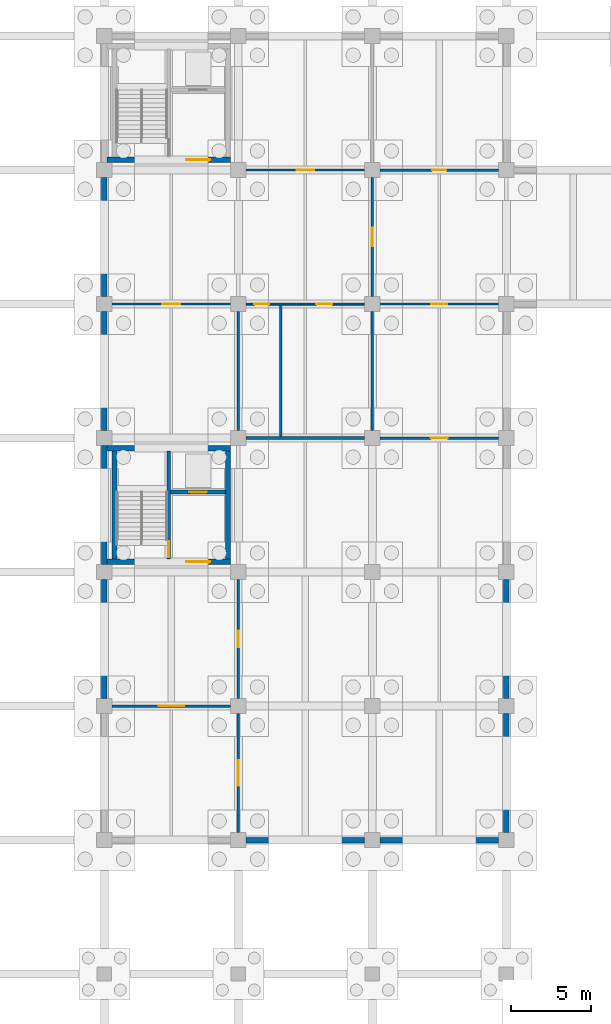
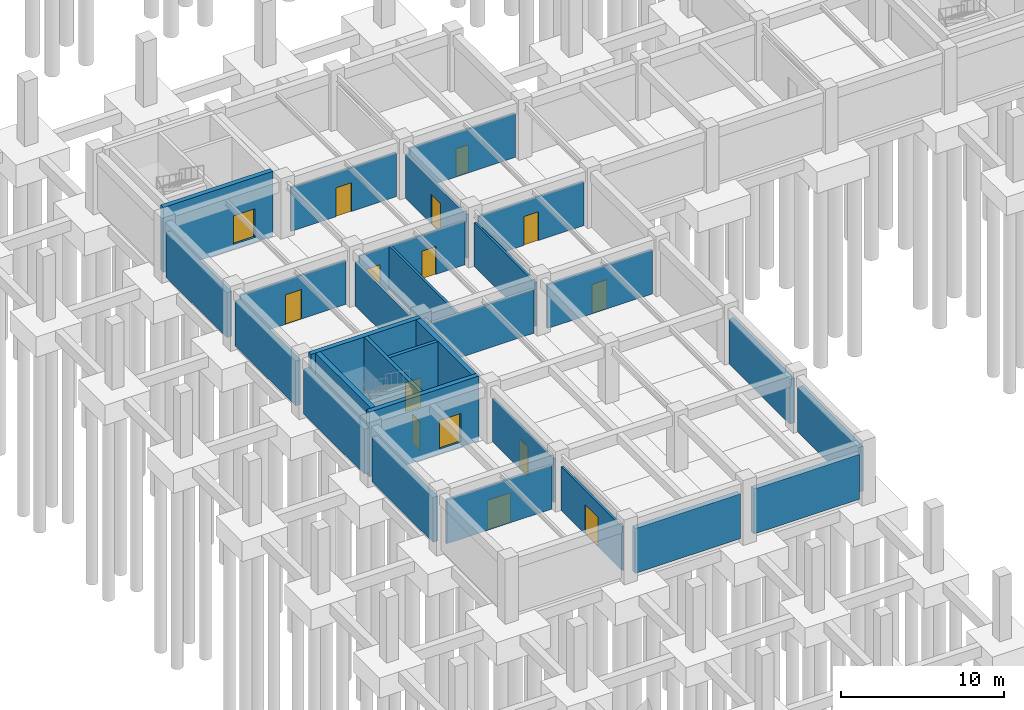
# One storey, part 18 of 29: 29 walls, 15 doors, 15 openings.
"""IFC4 building model written with IfcOpenShell, lengths in metres."""

import ifcopenshell
import ifcopenshell.guid

model = None  # the IFC model being written
_history = None  # IfcOwnerHistory: only IFC2X3 demands one
_inside = {}  # id of a spatial element -> (the spatial element, [elements in it])
_under = {}  # id of a project, library or spatial element -> (it, [spatial elements below it])
_declared = {}  # id of a project -> (the project, [libraries it declares])
_typed = {}  # id of a type object -> (the type object, [elements of that type])
_made_of = {}  # id of a material, layer set ... -> (it, [elements and type objects made of it])


def new_model(schema):
    """Start an empty IFC model of exactly this schema.

    Asked for "IFC4X3", IfcOpenShell would pick the latest addendum, in which some entities
    have other attributes; the version numbers below select the first issue.
    IFC2X3 requires an IfcOwnerHistory on every rooted entity: one is made here for all.
    """
    global model, _history
    if schema == "IFC4X3":
        model = ifcopenshell.file(schema_version=(4, 3, 0, 0))
    else:
        model = ifcopenshell.file(schema=schema)
    _inside.clear()
    _under.clear()
    _declared.clear()
    _typed.clear()
    _made_of.clear()
    _history = None
    if model.schema == "IFC2X3":
        org = make("IfcOrganization", Name="unknown")
        user = make(
            "IfcPersonAndOrganization",
            ThePerson=make("IfcPerson", FamilyName="unknown"),
            TheOrganization=org,
        )
        app = make(
            "IfcApplication",
            ApplicationDeveloper=org,
            Version="unknown",
            ApplicationFullName="unknown",
            ApplicationIdentifier="unknown",
        )
        _history = make(
            "IfcOwnerHistory",
            OwningUser=user,
            OwningApplication=app,
            ChangeAction="ADDED",
            CreationDate=0,
        )
    return model


def make(cls, **values):
    """One entity of the class cls with the attributes given. An attribute that is None is left unset."""
    return model.create_entity(
        cls, **{name: value for name, value in values.items() if value is not None}
    )


def rooted(cls, **values):
    """An entity with a GlobalId (a new one), such as an element, a storey or a relation."""
    return make(cls, GlobalId=ifcopenshell.guid.new(), OwnerHistory=_history, **values)


def si_unit(unit_type, name, prefix=None):
    """IfcSIUnit, for example si_unit("LENGTHUNIT", "METRE", prefix="MILLI")."""
    return make("IfcSIUnit", UnitType=unit_type, Prefix=prefix, Name=name)


def assignment(units):
    """IfcUnitAssignment: the units of a project."""
    return None if units is None else make("IfcUnitAssignment", Units=units)


def point(xyz):
    """IfcCartesianPoint."""
    return None if xyz is None else make("IfcCartesianPoint", Coordinates=xyz)


def direction(xyz):
    """IfcDirection."""
    return None if xyz is None else make("IfcDirection", DirectionRatios=xyz)


def frame(location, z_axis=None, x_axis=None):
    """IfcAxis2Placement3D, a coordinate frame: its origin and axes. An axis left out is left unset."""
    return make(
        "IfcAxis2Placement3D",
        Location=point(location),
        Axis=direction(z_axis),
        RefDirection=direction(x_axis),
    )


def frame_2d(location, x_axis=None):
    """IfcAxis2Placement2D, a coordinate frame in the plane: its origin and x axis."""
    return make(
        "IfcAxis2Placement2D", Location=point(location), RefDirection=direction(x_axis)
    )


def origin():
    """The frame at (0, 0, 0) with its axes left unset."""
    return frame((0.0, 0.0, 0.0))


def place(relative_to, where):
    """IfcLocalPlacement: puts the frame where relative to a parent placement (None: the world)."""
    return make(
        "IfcLocalPlacement", PlacementRelTo=relative_to, RelativePlacement=where
    )


def context(
    kind, dimensions, precision=None, world=None, true_north=None, identifier=None
):
    """IfcGeometricRepresentationContext, for example the 3D "Model" context."""
    return make(
        "IfcGeometricRepresentationContext",
        ContextIdentifier=identifier,
        ContextType=kind,
        CoordinateSpaceDimension=dimensions,
        Precision=precision,
        WorldCoordinateSystem=world,
        TrueNorth=true_north,
    )


def subcontext(parent, identifier, kind, view, scale=None):
    """IfcGeometricRepresentationSubContext, for example "Body" below "Model"."""
    return make(
        "IfcGeometricRepresentationSubContext",
        ContextIdentifier=identifier,
        ContextType=kind,
        ParentContext=parent,
        TargetScale=scale,
        TargetView=view,
    )


def project(units=None, contexts=None):
    """IfcProject with its units and contexts."""
    return rooted(
        "IfcProject",
        Name="project",
        RepresentationContexts=contexts,
        UnitsInContext=assignment(units),
    )


def spatial(cls, under=None, at=None, **own):
    """A site, building, storey or space (cls), placed at a placement, below another one or the project."""
    s = rooted(cls, ObjectPlacement=at, **own)
    if under is not None:
        _under.setdefault(under.id(), (under, []))[1].append(s)
    return s


def profile(cls, at=None, kind="AREA", **sizes):
    """A parametric profile (cls). Its sizes go by their IFC names, for example OverallWidth=200.0."""
    return make(cls, ProfileType=kind, Position=at, **sizes)


def rectangle(**sizes):
    """IfcRectangleProfileDef."""
    return profile("IfcRectangleProfileDef", **sizes)


def extrude(swept, where, along, depth):
    """IfcExtrudedAreaSolid: the profile swept, set in the frame where, extruded along a direction by depth."""
    return make(
        "IfcExtrudedAreaSolid",
        SweptArea=swept,
        Position=where,
        ExtrudedDirection=direction(along),
        Depth=depth,
    )


def shape(context_of_items, identifier, shape_type, items):
    """IfcShapeRepresentation: the items that make up one representation, for example the "Body"."""
    return make(
        "IfcShapeRepresentation",
        ContextOfItems=context_of_items,
        RepresentationIdentifier=identifier,
        RepresentationType=shape_type,
        Items=items,
    )


def material(Name=None, Category=None):
    """IfcMaterial."""
    return make("IfcMaterial", Name=Name, Category=Category)


def layer(
    of_material, thickness, ventilated=None, Name=None, Category=None, Priority=None
):
    """IfcMaterialLayer: one layer of a wall or slab, of a material (None: an air gap)."""
    return make(
        "IfcMaterialLayer",
        Material=of_material,
        LayerThickness=thickness,
        IsVentilated=ventilated,
        Name=Name,
        Category=Category,
        Priority=Priority,
    )


def layer_set(layers, Name=None):
    """IfcMaterialLayerSet."""
    return make("IfcMaterialLayerSet", MaterialLayers=layers, LayerSetName=Name)


def made_of(thing, what):
    """Note that an element or type object is made of a material, layer set ...; save() writes the relation."""
    if what is not None:
        _made_of.setdefault(what.id(), (what, []))[1].append(thing)
    return thing


def type_object(cls, material=None, **own):
    """A type object (cls), such as IfcWallType, which elements share."""
    return made_of(rooted(cls, **own), material)


def element(
    cls,
    number,
    at=None,
    inside=None,
    cuts=None,
    type_object=None,
    material=None,
    context=None,
    identifier="Body",
    shape_type=None,
    held_by="IfcProductDefinitionShape",
    body=None,
    shapes=None,
    **own,
):
    """One element of the class cls, such as IfcWall. Its Tag is "e" and its number.

    at: its placement. inside: the storey or other place that contains it. cuts: it is an
    opening in that element (IfcRelVoidsElement). A single representation is given by context,
    identifier, shape_type and body (its items); several are given by shapes. held_by: the class
    of the entity that holds the representations. save() writes the other relations.
    """
    e = rooted(cls, Tag="e%d" % number, ObjectPlacement=at, **own)
    if body is not None:
        shapes = [shape(context, identifier, shape_type, body)]
    if shapes is not None:
        e.Representation = make(held_by, Representations=shapes)
    if inside is not None:
        _inside.setdefault(inside.id(), (inside, []))[1].append(e)
    if cuts is not None:
        rooted(
            "IfcRelVoidsElement", RelatingBuildingElement=cuts, RelatedOpeningElement=e
        )
    if type_object is not None:
        _typed.setdefault(type_object.id(), (type_object, []))[1].append(e)
    return made_of(e, material)


def fill(opening, filler):
    """IfcRelFillsElement: the door or window that sits in an opening."""
    return rooted(
        "IfcRelFillsElement",
        RelatingOpeningElement=opening,
        RelatedBuildingElement=filler,
    )


def aggregate(whole, parts):
    """IfcRelAggregates: a whole, such as a stair, and the parts it consists of."""
    return rooted("IfcRelAggregates", RelatingObject=whole, RelatedObjects=parts)


def save(model, path):
    """Write the relations noted so far, then the file.

    IfcRelAggregates (storeys below a building ...), IfcRelContainedInSpatialStructure (elements
    in a storey), IfcRelDefinesByType, IfcRelAssociatesMaterial and IfcRelDeclares: one each for
    every whole, place, type object, material and project.
    """
    for whole, parts in _under.values():
        aggregate(whole, parts)
    for where, things in _inside.values():
        rooted(
            "IfcRelContainedInSpatialStructure",
            RelatedElements=things,
            RelatingStructure=where,
        )
    for kind, things in _typed.values():
        rooted("IfcRelDefinesByType", RelatedObjects=things, RelatingType=kind)
    for what, things in _made_of.values():
        rooted("IfcRelAssociatesMaterial", RelatedObjects=things, RelatingMaterial=what)
    for by, libraries in _declared.values():
        rooted("IfcRelDeclares", RelatingContext=by, RelatedDefinitions=libraries)
    model.write(path)


model = new_model("IFC4")

# Units and contexts
model_context = context("Model", 3, precision=1e-05, world=origin(), true_north=direction((0.0, 1.0)))
body_context = subcontext(model_context, "Body", "Model", "MODEL_VIEW")
ifc_project = project(units=[si_unit("LENGTHUNIT", "METRE"), si_unit("AREAUNIT", "SQUARE_METRE"), si_unit("VOLUMEUNIT", "CUBIC_METRE"), si_unit("PLANEANGLEUNIT", "RADIAN"), si_unit("MASSUNIT", "GRAM", prefix="KILO")], contexts=[model_context])

# Site, building, storey
site_placement = place(None, origin())
site = spatial("IfcSite", under=ifc_project, at=site_placement, CompositionType="ELEMENT")
building_placement = place(site_placement, origin())
building = spatial("IfcBuilding", under=site, at=building_placement, Name="Porcellanite Civic Hall", CompositionType="ELEMENT")
storey_placement = place(building_placement, frame((0.0, 0.0, -4.5)))
storey = spatial("IfcBuildingStorey", under=building, at=storey_placement, Name="B1", CompositionType="ELEMENT", Elevation=-4.5)

# Wall, opening, door
ifc_material_1 = material(Name="Concrete N40 (40 MPa)", Category="concrete")
ifc_layer_1 = layer(ifc_material_1, 0.239990234375)
ifc_layer_set_1 = layer_set([ifc_layer_1], Name="Concrete N40 (40 MPa)")
wall_type_1 = type_object("IfcWallType", Name="CW-SH240", PredefinedType="SHEAR", material=ifc_layer_set_1)
wall_1_placement = place(storey_placement, frame((12.43994140625, 34.409912109375, -0.35009765625), z_axis=(0.0, 0.0, 1.0), x_axis=(0.0, 1.0, 0.0)))
wall_1 = element("IfcWall", 1, at=wall_1_placement, inside=storey, type_object=wall_type_1, Name="Core divider C1 B1", PredefinedType="SHEAR", context=body_context, shape_type="SweptSolid", body=[
    extrude(rectangle(XDim=6.780029296875, YDim=0.239990234375, at=frame_2d((3.39013671875, 0.0))), origin(), (0.0, 0.0, 1.0), 4.85009765625),
])
opening_1_placement = place(wall_1_placement, frame((0.1201171875, 0.0, 0.35009765625)))
opening_1 = element("IfcOpeningElement", 2, at=opening_1_placement, cuts=wall_1, Name="Opening FD-C1-B1-ST", PredefinedType="OPENING", context=body_context, shape_type="SweptSolid", body=[
    extrude(rectangle(XDim=1.0, YDim=2.14990234375, at=frame_2d((0.5, 1.074951171875))), frame((0.0, 0.1201171875, 0.0), z_axis=(0.0, -1.0, 0.0), x_axis=(1.0, 0.0, 0.0)), (0.0, 0.0, 1.0), 0.239990234375),
])
ifc_material_2 = material(Name="Fire-rated solid-core hardwood timber", Category="wood")
door_type_1 = type_object("IfcDoorType", Name="DR-FD100", OperationType="NOTDEFINED", PredefinedType="DOOR", material=ifc_material_2)
door_1_placement = place(opening_1_placement, origin())
door_1 = element("IfcDoor", 3, at=door_1_placement, inside=storey, type_object=door_type_1, Name="Fire stair door FD-C1-B1-ST", OperationType="SINGLE_SWING_RIGHT", OverallHeight=2.14990234375, OverallWidth=1.0, PredefinedType="DOOR", context=body_context, shape_type="SweptSolid", body=[
    extrude(rectangle(XDim=1.0, YDim=2.14990234375, at=frame_2d((0.5, 1.074951171875))), frame((0.0, 0.02490234375, 0.0), z_axis=(0.0, -1.0, 0.0), x_axis=(1.0, 0.0, 0.0)), (0.0, 0.0, 1.0), 0.050048828125),
])
fill(opening_1, door_1)

wall_2_placement = place(storey_placement, frame((12.56005859375, 38.6201171875, -0.35009765625), z_axis=(0.0, 0.0, 1.0), x_axis=(1.0, 0.0, 0.0)))
wall_2 = element("IfcWall", 4, at=wall_2_placement, inside=storey, type_object=wall_type_1, Name="Lift shaft wall C1 B1", PredefinedType="SHEAR", context=body_context, shape_type="SweptSolid", body=[
    extrude(rectangle(XDim=3.429931640625, YDim=0.239990234375, at=frame_2d((1.71484375, 0.0))), origin(), (0.0, 0.0, 1.0), 4.85009765625),
])
opening_2_placement = place(wall_2_placement, frame((1.1650390625, 0.0, 0.35009765625)))
opening_2 = element("IfcOpeningElement", 5, at=opening_2_placement, cuts=wall_2, Name="Opening LD-03", PredefinedType="OPENING", context=body_context, shape_type="SweptSolid", body=[
    extrude(rectangle(XDim=1.10009765625, YDim=2.14990234375, at=frame_2d((0.550048828125, 1.074951171875))), frame((0.0, 0.1201171875, 0.0), z_axis=(0.0, -1.0, 0.0), x_axis=(1.0, 0.0, 0.0)), (0.0, 0.0, 1.0), 0.239990234375),
])
ifc_material_3 = material(Name="Brushed stainless steel 316", Category="steel")
door_type_2 = type_object("IfcDoorType", Name="DR-LD110", OperationType="DOUBLE_DOOR_SLIDING", PredefinedType="DOOR", material=ifc_material_3)
door_2_placement = place(opening_2_placement, origin())
door_2 = element("IfcDoor", 6, at=door_2_placement, inside=storey, type_object=door_type_2, Name="Lift landing sliding door LD-03 B1", OperationType="DOUBLE_DOOR_SLIDING", OverallHeight=2.14990234375, OverallWidth=1.10009765625, PredefinedType="DOOR", context=body_context, shape_type="SweptSolid", body=[
    extrude(rectangle(XDim=1.10009765625, YDim=2.14990234375, at=frame_2d((0.550048828125, 1.074951171875))), frame((0.0, 0.02490234375, 0.0), z_axis=(0.0, -1.0, 0.0), x_axis=(1.0, 0.0, 0.0)), (0.0, 0.0, 1.0), 0.050048828125),
])
fill(opening_2, door_2)

ifc_material_4 = material(Name="Concrete N40 (40 MPa)", Category="concrete")
ifc_layer_2 = layer(ifc_material_4, 0.330078125)
ifc_layer_set_2 = layer_set([ifc_layer_2], Name="Concrete N40 (40 MPa)")
wall_type_2 = type_object("IfcWallType", Name="CW-SH330", PredefinedType="SHEAR", material=ifc_layer_set_2)
wall_3_placement = place(storey_placement, frame((16.320068359375, 34.2451171875, -0.35009765625), z_axis=(0.0, 0.0, 1.0), x_axis=(-1.0, 0.0, 0.0)))
wall_3 = element("IfcWall", 7, at=wall_3_placement, inside=storey, type_object=wall_type_2, Name="Core wall C1 B1 S", PredefinedType="SHEAR", context=body_context, shape_type="SweptSolid", body=[
    extrude(rectangle(XDim=7.7451171875, YDim=0.330078125, at=frame_2d((3.87255859375, 0.0))), origin(), (0.0, 0.0, 1.0), 4.85009765625),
])
opening_3_placement = place(wall_3_placement, frame((1.280029296875, 0.0, 0.35009765625)))
opening_3 = element("IfcOpeningElement", 8, at=opening_3_placement, cuts=wall_3, Name="Opening FD-C1-B1-LB", PredefinedType="OPENING", context=body_context, shape_type="SweptSolid", body=[
    extrude(rectangle(XDim=1.5, YDim=2.14990234375, at=frame_2d((0.75, 1.074951171875))), frame((0.0, 0.1650390625, 0.0), z_axis=(0.0, -1.0, 0.0), x_axis=(1.0, 0.0, 0.0)), (0.0, 0.0, 1.0), 0.330078125),
])
ifc_material_5 = material(Name="Fire-rated steel and Georgian wired glass", Category="steel")
door_type_3 = type_object("IfcDoorType", Name="DR-FD150", OperationType="DOUBLE_DOOR_SINGLE_SWING", PredefinedType="DOOR", material=ifc_material_5)
door_3_placement = place(opening_3_placement, origin())
door_3 = element("IfcDoor", 9, at=door_3_placement, inside=storey, type_object=door_type_3, Name="Fire lobby double door FD-C1-B1-LB", OperationType="DOUBLE_DOOR_SINGLE_SWING", OverallHeight=2.14990234375, OverallWidth=1.5, PredefinedType="DOOR", context=body_context, shape_type="SweptSolid", body=[
    extrude(rectangle(XDim=1.5, YDim=2.14990234375, at=frame_2d((0.75, 1.074951171875))), frame((0.0, 0.02490234375, 0.0), z_axis=(0.0, -1.0, 0.0), x_axis=(1.0, 0.0, 0.0)), (0.0, 0.0, 1.0), 0.050048828125),
])
fill(opening_3, door_3)

# Walls
wall_4_placement = place(storey_placement, frame((9.044921875, 34.409912109375, -0.35009765625), z_axis=(0.0, 0.0, 1.0), x_axis=(0.0, 1.0, 0.0)))
element("IfcWall", 10, at=wall_4_placement, inside=storey, type_object=wall_type_2, Name="Core wall C1 B1 W", PredefinedType="SHEAR", context=body_context, shape_type="SweptSolid", body=[
    extrude(rectangle(XDim=6.780029296875, YDim=0.330078125, at=frame_2d((3.39013671875, 0.0))), origin(), (0.0, 0.0, 1.0), 4.85009765625),
])
wall_5_placement = place(storey_placement, frame((8.574951171875, 41.35498046875, -0.35009765625), z_axis=(0.0, 0.0, 1.0), x_axis=(1.0, 0.0, 0.0)))
element("IfcWall", 11, at=wall_5_placement, inside=storey, type_object=wall_type_2, Name="Core wall C1 B1 N", PredefinedType="SHEAR", context=body_context, shape_type="SweptSolid", body=[
    extrude(rectangle(XDim=7.7451171875, YDim=0.330078125, at=frame_2d((3.87255859375, 0.0))), origin(), (0.0, 0.0, 1.0), 4.85009765625),
])
wall_6_placement = place(storey_placement, frame((16.155029296875, 41.18994140625, -0.35009765625), z_axis=(0.0, 0.0, 1.0), x_axis=(0.0, -1.0, 0.0)))
element("IfcWall", 12, at=wall_6_placement, inside=storey, type_object=wall_type_2, Name="Core wall C1 B1 E", PredefinedType="SHEAR", context=body_context, shape_type="SweptSolid", body=[
    extrude(rectangle(XDim=6.780029296875, YDim=0.330078125, at=frame_2d((3.39013671875, 0.0))), origin(), (0.0, 0.0, 1.0), 4.85009765625),
])

# Wall, opening, door
wall_7_placement = place(storey_placement, frame((16.320068359375, 59.445068359375, -0.35009765625), z_axis=(0.0, 0.0, 1.0), x_axis=(-1.0, 0.0, 0.0)))
wall_7 = element("IfcWall", 13, at=wall_7_placement, inside=storey, type_object=wall_type_2, Name="Core wall C2 B1 S", PredefinedType="SHEAR", context=body_context, shape_type="SweptSolid", body=[
    extrude(rectangle(XDim=7.7451171875, YDim=0.330078125, at=frame_2d((3.87255859375, 0.0))), origin(), (0.0, 0.0, 1.0), 4.85009765625),
])
opening_4_placement = place(wall_7_placement, frame((1.280029296875, 0.0, 0.35009765625)))
opening_4 = element("IfcOpeningElement", 14, at=opening_4_placement, cuts=wall_7, Name="Opening FD-C2-B1-LB", PredefinedType="OPENING", context=body_context, shape_type="SweptSolid", body=[
    extrude(rectangle(XDim=1.5, YDim=2.14990234375, at=frame_2d((0.75, 1.074951171875))), frame((0.0, 0.1650390625, 0.0), z_axis=(0.0, -1.0, 0.0), x_axis=(1.0, 0.0, 0.0)), (0.0, 0.0, 1.0), 0.330078125),
])
door_4_placement = place(opening_4_placement, origin())
door_4 = element("IfcDoor", 15, at=door_4_placement, inside=storey, type_object=door_type_3, Name="Fire lobby double door FD-C2-B1-LB", OperationType="DOUBLE_DOOR_SINGLE_SWING", OverallHeight=2.14990234375, OverallWidth=1.5, PredefinedType="DOOR", context=body_context, shape_type="SweptSolid", body=[
    extrude(rectangle(XDim=1.5, YDim=2.14990234375, at=frame_2d((0.75, 1.074951171875))), frame((0.0, 0.02490234375, 0.0), z_axis=(0.0, -1.0, 0.0), x_axis=(1.0, 0.0, 0.0)), (0.0, 0.0, 1.0), 0.050048828125),
])
fill(opening_4, door_4)

# Walls
ifc_material_6 = material(Name="Concrete N40 (40 MPa)", Category="concrete")
ifc_layer_3 = layer(ifc_material_6, 0.35009765625)
ifc_layer_set_3 = layer_set([ifc_layer_3], Name="Concrete N40 (40 MPa)")
wall_type_3 = type_object("IfcWallType", Name="EW-BSM350", PredefinedType="SOLIDWALL", material=ifc_layer_set_3)
for number, where, z_axis, x_axis, name in (
    (16, (8.39990234375, 25.676025390625, 0.0), (0.0, 0.0, 1.0), (0.0, 1.0, 0.0), "Exterior wall B1 W 2-4"),
    (17, (8.39990234375, 34.075927734375, 0.0), (0.0, 0.0, 1.0), (0.0, 1.0, 0.0), "Exterior wall B1 W 2-5"),
    (18, (8.39990234375, 42.47607421875, 0.0), (0.0, 0.0, 1.0), (0.0, 1.0, 0.0), "Exterior wall B1 W 2-6"),
    (19, (8.39990234375, 50.8759765625, 0.0), (0.0, 0.0, 1.0), (0.0, 1.0, 0.0), "Exterior wall B1 W 2-7"),
):
    element("IfcWall", number, at=place(storey_placement, frame(where, z_axis=z_axis, x_axis=x_axis)), inside=storey, type_object=wall_type_3, Name=name, PredefinedType="SOLIDWALL", context=body_context, shape_type="SweptSolid", body=[
        extrude(rectangle(XDim=7.447998046875, YDim=0.35009765625, at=frame_2d((3.72412109375, 0.0))), origin(), (0.0, 0.0, 1.0), 3.35009765625),
    ])
wall_8_placement = place(storey_placement, frame((24.72412109375, 16.800048828125, 0.0), z_axis=(0.0, 0.0, 1.0), x_axis=(-1.0, 0.0, 0.0)))
element("IfcWall", 20, at=wall_8_placement, inside=storey, type_object=wall_type_3, Name="Exterior wall B1 S 3-3", PredefinedType="SOLIDWALL", context=body_context, shape_type="SweptSolid", body=[
    extrude(rectangle(XDim=7.4482421875, YDim=0.35009765625, at=frame_2d((3.72412109375, 0.0))), origin(), (0.0, 0.0, 1.0), 3.35009765625),
])
wall_9_placement = place(storey_placement, frame((33.1240234375, 16.800048828125, 0.0), z_axis=(0.0, 0.0, 1.0), x_axis=(-1.0, 0.0, 0.0)))
element("IfcWall", 21, at=wall_9_placement, inside=storey, type_object=wall_type_3, Name="Exterior wall B1 S 4-3", PredefinedType="SOLIDWALL", context=body_context, shape_type="SweptSolid", body=[
    extrude(rectangle(XDim=7.447998046875, YDim=0.35009765625, at=frame_2d((3.72412109375, 0.0))), origin(), (0.0, 0.0, 1.0), 3.35009765625),
])
wall_10_placement = place(storey_placement, frame((33.60009765625, 24.72412109375, 0.0), z_axis=(0.0, 0.0, 1.0), x_axis=(0.0, -1.0, 0.0)))
element("IfcWall", 22, at=wall_10_placement, inside=storey, type_object=wall_type_3, Name="Exterior wall B1 E 4-3", PredefinedType="SOLIDWALL", context=body_context, shape_type="SweptSolid", body=[
    extrude(rectangle(XDim=7.4482421875, YDim=0.35009765625, at=frame_2d((3.72412109375, 0.0))), origin(), (0.0, 0.0, 1.0), 3.35009765625),
])
wall_11_placement = place(storey_placement, frame((33.60009765625, 33.1240234375, 0.0), z_axis=(0.0, 0.0, 1.0), x_axis=(0.0, -1.0, 0.0)))
element("IfcWall", 23, at=wall_11_placement, inside=storey, type_object=wall_type_3, Name="Exterior wall B1 E 4-4", PredefinedType="SOLIDWALL", context=body_context, shape_type="SweptSolid", body=[
    extrude(rectangle(XDim=7.447998046875, YDim=0.35009765625, at=frame_2d((3.72412109375, 0.0))), origin(), (0.0, 0.0, 1.0), 3.35009765625),
])

# Wall, opening, door
ifc_material_7 = material(Name="Fire-rated plasterboard on light-gauge steel studs", Category="steel")
ifc_layer_4 = layer(ifc_material_7, 0.14794921875)
ifc_layer_set_4 = layer_set([ifc_layer_4], Name="Fire-rated plasterboard on light-gauge steel studs")
wall_type_4 = type_object("IfcWallType", Name="IW-FR148", PredefinedType="PARTITIONING", material=ifc_layer_set_4)
wall_12_placement = place(storey_placement, frame((8.876953125, 50.39990234375, 0.0), z_axis=(0.0, 0.0, 1.0), x_axis=(1.0, 0.0, 0.0)))
wall_12 = element("IfcWall", 24, at=wall_12_placement, inside=storey, type_object=wall_type_4, Name="Fire compartment wall B1 H 2-6", PredefinedType="PARTITIONING", context=body_context, shape_type="SweptSolid", body=[
    extrude(rectangle(XDim=7.446044921875, YDim=0.14794921875, at=frame_2d((3.72314453125, 0.0))), origin(), (0.0, 0.0, 1.0), 3.27001953125),
])
opening_5_placement = place(wall_12_placement, frame((3.14794921875, 0.0, 0.0)))
opening_5 = element("IfcOpeningElement", 25, at=opening_5_placement, cuts=wall_12, Name="Opening D-B1-006", PredefinedType="OPENING", context=body_context, shape_type="SweptSolid", body=[
    extrude(rectangle(XDim=1.14990234375, YDim=2.199951171875, at=frame_2d((0.574951171875, 1.10009765625))), frame((0.0, 0.073974609375, 0.0), z_axis=(0.0, -1.0, 0.0), x_axis=(1.0, 0.0, 0.0)), (0.0, 0.0, 1.0), 0.14794921875),
])
ifc_material_8 = material(Name="Fire-rated solid-core hardwood timber", Category="wood")
door_type_4 = type_object("IfcDoorType", Name="DR-FD115", OperationType="NOTDEFINED", PredefinedType="DOOR", material=ifc_material_8)
door_5_placement = place(opening_5_placement, origin())
door_5 = element("IfcDoor", 26, at=door_5_placement, inside=storey, type_object=door_type_4, Name="Interior door D-B1-006", OperationType="SINGLE_SWING_RIGHT", OverallHeight=2.199951171875, OverallWidth=1.14990234375, PredefinedType="DOOR", context=body_context, shape_type="SweptSolid", body=[
    extrude(rectangle(XDim=1.14990234375, YDim=2.199951171875, at=frame_2d((0.574951171875, 1.10009765625))), frame((0.0, 0.02490234375, 0.0), z_axis=(0.0, -1.0, 0.0), x_axis=(1.0, 0.0, 0.0)), (0.0, 0.0, 1.0), 0.050048828125),
])
fill(opening_5, door_5)

wall_13_placement = place(storey_placement, frame((17.277099609375, 58.800048828125, 0.0), z_axis=(0.0, 0.0, 1.0), x_axis=(1.0, 0.0, 0.0)))
wall_13 = element("IfcWall", 27, at=wall_13_placement, inside=storey, type_object=wall_type_4, Name="Fire compartment wall B1 H 3-7", PredefinedType="PARTITIONING", context=body_context, shape_type="SweptSolid", body=[
    extrude(rectangle(XDim=7.44580078125, YDim=0.14794921875, at=frame_2d((3.722900390625, 0.0))), origin(), (0.0, 0.0, 1.0), 3.27001953125),
])
opening_6_placement = place(wall_13_placement, frame((3.173095703125, 0.0, 0.0)))
opening_6 = element("IfcOpeningElement", 28, at=opening_6_placement, cuts=wall_13, Name="Opening D-B1-007", PredefinedType="OPENING", context=body_context, shape_type="SweptSolid", body=[
    extrude(rectangle(XDim=1.10009765625, YDim=2.14990234375, at=frame_2d((0.550048828125, 1.074951171875))), frame((0.0, 0.073974609375, 0.0), z_axis=(0.0, -1.0, 0.0), x_axis=(1.0, 0.0, 0.0)), (0.0, 0.0, 1.0), 0.14794921875),
])
ifc_material_9 = material(Name="Fire-rated solid-core hardwood timber", Category="wood")
door_type_5 = type_object("IfcDoorType", Name="DR-FD110", OperationType="NOTDEFINED", PredefinedType="DOOR", material=ifc_material_9)
door_6_placement = place(opening_6_placement, origin())
door_6 = element("IfcDoor", 29, at=door_6_placement, inside=storey, type_object=door_type_5, Name="Interior door D-B1-007", OperationType="SINGLE_SWING_LEFT", OverallHeight=2.14990234375, OverallWidth=1.10009765625, PredefinedType="DOOR", context=body_context, shape_type="SweptSolid", body=[
    extrude(rectangle(XDim=1.10009765625, YDim=2.14990234375, at=frame_2d((0.550048828125, 1.074951171875))), frame((0.0, 0.02490234375, 0.0), z_axis=(0.0, -1.0, 0.0), x_axis=(1.0, 0.0, 0.0)), (0.0, 0.0, 1.0), 0.050048828125),
])
fill(opening_6, door_6)

wall_14_placement = place(storey_placement, frame((25.677001953125, 50.39990234375, 0.0), z_axis=(0.0, 0.0, 1.0), x_axis=(1.0, 0.0, 0.0)))
wall_14 = element("IfcWall", 30, at=wall_14_placement, inside=storey, type_object=wall_type_4, Name="Fire compartment wall B1 H 4-6", PredefinedType="PARTITIONING", context=body_context, shape_type="SweptSolid", body=[
    extrude(rectangle(XDim=7.446044921875, YDim=0.14794921875, at=frame_2d((3.72314453125, 0.0))), origin(), (0.0, 0.0, 1.0), 3.27001953125),
])
opening_7_placement = place(wall_14_placement, frame((3.222900390625, 0.0, 0.0)))
opening_7 = element("IfcOpeningElement", 31, at=opening_7_placement, cuts=wall_14, Name="Opening D-B1-022", PredefinedType="OPENING", context=body_context, shape_type="SweptSolid", body=[
    extrude(rectangle(XDim=1.0, YDim=2.14990234375, at=frame_2d((0.5, 1.074951171875))), frame((0.0, 0.073974609375, 0.0), z_axis=(0.0, -1.0, 0.0), x_axis=(1.0, 0.0, 0.0)), (0.0, 0.0, 1.0), 0.14794921875),
])
door_7_placement = place(opening_7_placement, origin())
door_7 = element("IfcDoor", 32, at=door_7_placement, inside=storey, type_object=door_type_1, Name="Interior door D-B1-022", OperationType="SINGLE_SWING_LEFT", OverallHeight=2.14990234375, OverallWidth=1.0, PredefinedType="DOOR", context=body_context, shape_type="SweptSolid", body=[
    extrude(rectangle(XDim=1.0, YDim=2.14990234375, at=frame_2d((0.5, 1.074951171875))), frame((0.0, 0.02490234375, 0.0), z_axis=(0.0, -1.0, 0.0), x_axis=(1.0, 0.0, 0.0)), (0.0, 0.0, 1.0), 0.050048828125),
])
fill(opening_7, door_7)

wall_15_placement = place(storey_placement, frame((16.800048828125, 17.277099609375, 0.0), z_axis=(0.0, 0.0, 1.0), x_axis=(0.0, 1.0, 0.0)))
wall_15 = element("IfcWall", 33, at=wall_15_placement, inside=storey, type_object=wall_type_4, Name="Fire compartment wall B1 V 2-3", PredefinedType="PARTITIONING", context=body_context, shape_type="SweptSolid", body=[
    extrude(rectangle(XDim=7.44580078125, YDim=0.14794921875, at=frame_2d((3.722900390625, 0.0))), origin(), (0.0, 0.0, 1.0), 3.27001953125),
])
opening_8_placement = place(wall_15_placement, frame((2.923095703125, 0.0, 0.0)))
opening_8 = element("IfcOpeningElement", 34, at=opening_8_placement, cuts=wall_15, Name="Opening D-B1-026", PredefinedType="OPENING", context=body_context, shape_type="SweptSolid", body=[
    extrude(rectangle(XDim=1.60009765625, YDim=2.199951171875, at=frame_2d((0.800048828125, 1.10009765625))), frame((0.0, 0.073974609375, 0.0), z_axis=(0.0, -1.0, 0.0), x_axis=(1.0, 0.0, 0.0)), (0.0, 0.0, 1.0), 0.14794921875),
])
ifc_material_10 = material(Name="Fire-rated steel and Georgian wired glass", Category="steel")
door_type_6 = type_object("IfcDoorType", Name="DR-FD160", OperationType="DOUBLE_DOOR_SINGLE_SWING", PredefinedType="DOOR", material=ifc_material_10)
door_8_placement = place(opening_8_placement, origin())
door_8 = element("IfcDoor", 35, at=door_8_placement, inside=storey, type_object=door_type_6, Name="Interior door D-B1-026", OperationType="DOUBLE_DOOR_SINGLE_SWING", OverallHeight=2.199951171875, OverallWidth=1.60009765625, PredefinedType="DOOR", context=body_context, shape_type="SweptSolid", body=[
    extrude(rectangle(XDim=1.60009765625, YDim=2.199951171875, at=frame_2d((0.800048828125, 1.10009765625))), frame((0.0, 0.02490234375, 0.0), z_axis=(0.0, -1.0, 0.0), x_axis=(1.0, 0.0, 0.0)), (0.0, 0.0, 1.0), 0.050048828125),
])
fill(opening_8, door_8)

# Wall
wall_16_placement = place(storey_placement, frame((25.199951171875, 42.47705078125, 0.0), z_axis=(0.0, 0.0, 1.0), x_axis=(0.0, 1.0, 0.0)))
element("IfcWall", 36, at=wall_16_placement, inside=storey, type_object=wall_type_4, Name="Fire compartment wall B1 V 3-6", PredefinedType="PARTITIONING", context=body_context, shape_type="SweptSolid", body=[
    extrude(rectangle(XDim=7.446044921875, YDim=0.14794921875, at=frame_2d((3.72314453125, 0.0))), origin(), (0.0, 0.0, 1.0), 3.27001953125),
])

# Wall, opening, door
ifc_material_11 = material(Name="Fire-rated plasterboard on light-gauge steel studs", Category="steel")
ifc_layer_5 = layer(ifc_material_11, 0.159912109375)
ifc_layer_set_5 = layer_set([ifc_layer_5], Name="Fire-rated plasterboard on light-gauge steel studs")
wall_type_5 = type_object("IfcWallType", Name="IW-FR160", PredefinedType="PARTITIONING", material=ifc_layer_set_5)
wall_17_placement = place(storey_placement, frame((8.876953125, 25.199951171875, 0.0), z_axis=(0.0, 0.0, 1.0), x_axis=(1.0, 0.0, 0.0)))
wall_17 = element("IfcWall", 37, at=wall_17_placement, inside=storey, type_object=wall_type_5, Name="Fire compartment wall B1 H 2-3", PredefinedType="PARTITIONING", context=body_context, shape_type="SweptSolid", body=[
    extrude(rectangle(XDim=7.446044921875, YDim=0.159912109375, at=frame_2d((3.72314453125, 0.0))), origin(), (0.0, 0.0, 1.0), 3.27001953125),
])
opening_9_placement = place(wall_17_placement, frame((2.923095703125, 0.0, 0.0)))
opening_9 = element("IfcOpeningElement", 38, at=opening_9_placement, cuts=wall_17, Name="Opening D-B1-005", PredefinedType="OPENING", context=body_context, shape_type="SweptSolid", body=[
    extrude(rectangle(XDim=1.60009765625, YDim=2.199951171875, at=frame_2d((0.800048828125, 1.10009765625))), frame((0.0, 0.080078125, 0.0), z_axis=(0.0, -1.0, 0.0), x_axis=(1.0, 0.0, 0.0)), (0.0, 0.0, 1.0), 0.159912109375),
])
door_9_placement = place(opening_9_placement, origin())
door_9 = element("IfcDoor", 39, at=door_9_placement, inside=storey, type_object=door_type_6, Name="Interior door D-B1-005", OperationType="DOUBLE_DOOR_SINGLE_SWING", OverallHeight=2.199951171875, OverallWidth=1.60009765625, PredefinedType="DOOR", context=body_context, shape_type="SweptSolid", body=[
    extrude(rectangle(XDim=1.60009765625, YDim=2.199951171875, at=frame_2d((0.800048828125, 1.10009765625))), frame((0.0, 0.02490234375, 0.0), z_axis=(0.0, -1.0, 0.0), x_axis=(1.0, 0.0, 0.0)), (0.0, 0.0, 1.0), 0.050048828125),
])
fill(opening_9, door_9)

wall_18_placement = place(storey_placement, frame((25.677001953125, 42.0, 0.0), z_axis=(0.0, 0.0, 1.0), x_axis=(1.0, 0.0, 0.0)))
wall_18 = element("IfcWall", 40, at=wall_18_placement, inside=storey, type_object=wall_type_5, Name="Fire compartment wall B1 H 4-5", PredefinedType="PARTITIONING", context=body_context, shape_type="SweptSolid", body=[
    extrude(rectangle(XDim=7.446044921875, YDim=0.159912109375, at=frame_2d((3.72314453125, 0.0))), origin(), (0.0, 0.0, 1.0), 3.27001953125),
])
opening_10_placement = place(wall_18_placement, frame((3.197998046875, 0.0, 0.0)))
opening_10 = element("IfcOpeningElement", 41, at=opening_10_placement, cuts=wall_18, Name="Opening D-B1-021", PredefinedType="OPENING", context=body_context, shape_type="SweptSolid", body=[
    extrude(rectangle(XDim=1.050048828125, YDim=2.14990234375, at=frame_2d((0.52490234375, 1.074951171875))), frame((0.0, 0.080078125, 0.0), z_axis=(0.0, -1.0, 0.0), x_axis=(1.0, 0.0, 0.0)), (0.0, 0.0, 1.0), 0.159912109375),
])
ifc_material_12 = material(Name="Fire-rated solid-core hardwood timber", Category="wood")
door_type_7 = type_object("IfcDoorType", Name="DR-FD105", OperationType="NOTDEFINED", PredefinedType="DOOR", material=ifc_material_12)
door_10_placement = place(opening_10_placement, origin())
door_10 = element("IfcDoor", 42, at=door_10_placement, inside=storey, type_object=door_type_7, Name="Interior door D-B1-021", OperationType="SINGLE_SWING_RIGHT", OverallHeight=2.14990234375, OverallWidth=1.050048828125, PredefinedType="DOOR", context=body_context, shape_type="SweptSolid", body=[
    extrude(rectangle(XDim=1.050048828125, YDim=2.14990234375, at=frame_2d((0.52490234375, 1.074951171875))), frame((0.0, 0.02490234375, 0.0), z_axis=(0.0, -1.0, 0.0), x_axis=(1.0, 0.0, 0.0)), (0.0, 0.0, 1.0), 0.050048828125),
])
fill(opening_10, door_10)

wall_19_placement = place(storey_placement, frame((25.677001953125, 58.800048828125, 0.0), z_axis=(0.0, 0.0, 1.0), x_axis=(1.0, 0.0, 0.0)))
wall_19 = element("IfcWall", 43, at=wall_19_placement, inside=storey, type_object=wall_type_5, Name="Fire compartment wall B1 H 4-7", PredefinedType="PARTITIONING", context=body_context, shape_type="SweptSolid", body=[
    extrude(rectangle(XDim=7.446044921875, YDim=0.159912109375, at=frame_2d((3.72314453125, 0.0))), origin(), (0.0, 0.0, 1.0), 3.27001953125),
])
opening_11_placement = place(wall_19_placement, frame((3.27294921875, 0.0, 0.0)))
opening_11 = element("IfcOpeningElement", 44, at=opening_11_placement, cuts=wall_19, Name="Opening D-B1-023", PredefinedType="OPENING", context=body_context, shape_type="SweptSolid", body=[
    extrude(rectangle(XDim=0.89990234375, YDim=2.050048828125, at=frame_2d((0.449951171875, 1.02490234375))), frame((0.0, 0.080078125, 0.0), z_axis=(0.0, -1.0, 0.0), x_axis=(1.0, 0.0, 0.0)), (0.0, 0.0, 1.0), 0.159912109375),
])
ifc_material_13 = material(Name="Fire-rated steel riser access leaf", Category="steel")
door_type_8 = type_object("IfcDoorType", Name="DR-FD090", OperationType="NOTDEFINED", PredefinedType="DOOR", material=ifc_material_13)
door_11_placement = place(opening_11_placement, origin())
door_11 = element("IfcDoor", 45, at=door_11_placement, inside=storey, type_object=door_type_8, Name="Interior door D-B1-023", OperationType="SINGLE_SWING_RIGHT", OverallHeight=2.050048828125, OverallWidth=0.89990234375, PredefinedType="DOOR", context=body_context, shape_type="SweptSolid", body=[
    extrude(rectangle(XDim=0.89990234375, YDim=2.050048828125, at=frame_2d((0.449951171875, 1.02490234375))), frame((0.0, 0.02490234375, 0.0), z_axis=(0.0, -1.0, 0.0), x_axis=(1.0, 0.0, 0.0)), (0.0, 0.0, 1.0), 0.050048828125),
])
fill(opening_11, door_11)

# Wall
wall_20_placement = place(storey_placement, frame((16.800048828125, 42.47705078125, 0.0), z_axis=(0.0, 0.0, 1.0), x_axis=(0.0, 1.0, 0.0)))
element("IfcWall", 46, at=wall_20_placement, inside=storey, type_object=wall_type_5, Name="Fire compartment wall B1 V 2-6", PredefinedType="PARTITIONING", context=body_context, shape_type="SweptSolid", body=[
    extrude(rectangle(XDim=7.446044921875, YDim=0.159912109375, at=frame_2d((3.72314453125, 0.0))), origin(), (0.0, 0.0, 1.0), 3.27001953125),
])

# Wall, opening, door
wall_21_placement = place(storey_placement, frame((25.199951171875, 50.876953125, 0.0), z_axis=(0.0, 0.0, 1.0), x_axis=(0.0, 1.0, 0.0)))
wall_21 = element("IfcWall", 47, at=wall_21_placement, inside=storey, type_object=wall_type_5, Name="Fire compartment wall B1 V 3-7", PredefinedType="PARTITIONING", context=body_context, shape_type="SweptSolid", body=[
    extrude(rectangle(XDim=7.446044921875, YDim=0.159912109375, at=frame_2d((3.72314453125, 0.0))), origin(), (0.0, 0.0, 1.0), 3.27001953125),
])
opening_12_placement = place(wall_21_placement, frame((3.14794921875, 0.0, 0.0)))
opening_12 = element("IfcOpeningElement", 48, at=opening_12_placement, cuts=wall_21, Name="Opening D-B1-017", PredefinedType="OPENING", context=body_context, shape_type="SweptSolid", body=[
    extrude(rectangle(XDim=1.14990234375, YDim=2.199951171875, at=frame_2d((0.574951171875, 1.10009765625))), frame((0.0, 0.080078125, 0.0), z_axis=(0.0, -1.0, 0.0), x_axis=(1.0, 0.0, 0.0)), (0.0, 0.0, 1.0), 0.159912109375),
])
door_12_placement = place(opening_12_placement, origin())
door_12 = element("IfcDoor", 49, at=door_12_placement, inside=storey, type_object=door_type_4, Name="Interior door D-B1-017", OperationType="SINGLE_SWING_RIGHT", OverallHeight=2.199951171875, OverallWidth=1.14990234375, PredefinedType="DOOR", context=body_context, shape_type="SweptSolid", body=[
    extrude(rectangle(XDim=1.14990234375, YDim=2.199951171875, at=frame_2d((0.574951171875, 1.10009765625))), frame((0.0, 0.02490234375, 0.0), z_axis=(0.0, -1.0, 0.0), x_axis=(1.0, 0.0, 0.0)), (0.0, 0.0, 1.0), 0.050048828125),
])
fill(opening_12, door_12)

# Wall, openings, doors
ifc_material_14 = material(Name="Insulated acoustic plasterboard on light-gauge steel studs", Category="steel")
ifc_layer_6 = layer(ifc_material_14, 0.125)
ifc_layer_set_6 = layer_set([ifc_layer_6], Name="Insulated acoustic plasterboard on light-gauge steel studs")
wall_type_6 = type_object("IfcWallType", Name="IW-PT125", PredefinedType="PARTITIONING", material=ifc_layer_set_6)
wall_22_placement = place(storey_placement, frame((17.277099609375, 50.39990234375, 0.0), z_axis=(0.0, 0.0, 1.0), x_axis=(1.0, 0.0, 0.0)))
wall_22 = element("IfcWall", 50, at=wall_22_placement, inside=storey, type_object=wall_type_6, Name="Partition B1 H 3-6", PredefinedType="PARTITIONING", context=body_context, shape_type="SweptSolid", body=[
    extrude(rectangle(XDim=7.44580078125, YDim=0.125, at=frame_2d((3.722900390625, 0.0))), origin(), (0.0, 0.0, 1.0), 3.27001953125),
])
opening_13_placement = place(wall_22_placement, frame((0.528076171875, 0.0, 0.0)))
opening_13 = element("IfcOpeningElement", 51, at=opening_13_placement, cuts=wall_22, Name="Opening D-B1-001", PredefinedType="OPENING", context=body_context, shape_type="SweptSolid", body=[
    extrude(rectangle(XDim=0.919921875, YDim=2.10009765625, at=frame_2d((0.4599609375, 1.050048828125))), frame((0.0, 0.0625, 0.0), z_axis=(0.0, -1.0, 0.0), x_axis=(1.0, 0.0, 0.0)), (0.0, 0.0, 1.0), 0.125),
])
opening_14_placement = place(wall_22_placement, frame((4.41796875, 0.0, 0.0)))
opening_14 = element("IfcOpeningElement", 52, at=opening_14_placement, cuts=wall_22, Name="Opening D-B1-002", PredefinedType="OPENING", context=body_context, shape_type="SweptSolid", body=[
    extrude(rectangle(XDim=0.97998046875, YDim=2.080078125, at=frame_2d((0.489990234375, 1.0400390625))), frame((0.0, 0.0625, 0.0), z_axis=(0.0, -1.0, 0.0), x_axis=(1.0, 0.0, 0.0)), (0.0, 0.0, 1.0), 0.125),
])
ifc_material_15 = material(Name="Moisture-resistant laminate solid-core timber", Category="wood")
door_type_9 = type_object("IfcDoorType", Name="DR-WC092", OperationType="NOTDEFINED", PredefinedType="DOOR", material=ifc_material_15)
door_13_placement = place(opening_13_placement, origin())
door_13 = element("IfcDoor", 53, at=door_13_placement, inside=storey, type_object=door_type_9, Name="Interior door D-B1-001", OperationType="SINGLE_SWING_RIGHT", OverallHeight=2.10009765625, OverallWidth=0.919921875, PredefinedType="DOOR", context=body_context, shape_type="SweptSolid", body=[
    extrude(rectangle(XDim=0.919921875, YDim=2.10009765625, at=frame_2d((0.4599609375, 1.050048828125))), frame((0.0, 0.02490234375, 0.0), z_axis=(0.0, -1.0, 0.0), x_axis=(1.0, 0.0, 0.0)), (0.0, 0.0, 1.0), 0.050048828125),
])
fill(opening_13, door_13)
ifc_material_16 = material(Name="Moisture-resistant laminate solid-core timber", Category="wood")
door_type_10 = type_object("IfcDoorType", Name="DR-WC098", OperationType="NOTDEFINED", PredefinedType="DOOR", material=ifc_material_16)
door_14_placement = place(opening_14_placement, origin())
door_14 = element("IfcDoor", 54, at=door_14_placement, inside=storey, type_object=door_type_10, Name="Interior door D-B1-002", OperationType="SINGLE_SWING_LEFT", OverallHeight=2.080078125, OverallWidth=0.97998046875, PredefinedType="DOOR", context=body_context, shape_type="SweptSolid", body=[
    extrude(rectangle(XDim=0.97998046875, YDim=2.080078125, at=frame_2d((0.489990234375, 1.0400390625))), frame((0.0, 0.02490234375, 0.0), z_axis=(0.0, -1.0, 0.0), x_axis=(1.0, 0.0, 0.0)), (0.0, 0.0, 1.0), 0.050048828125),
])
fill(opening_14, door_14)

# Wall, opening, door
ifc_material_17 = material(Name="Insulated acoustic plasterboard on light-gauge steel studs", Category="steel")
ifc_layer_7 = layer(ifc_material_17, 0.135009765625)
ifc_layer_set_7 = layer_set([ifc_layer_7], Name="Insulated acoustic plasterboard on light-gauge steel studs")
wall_type_7 = type_object("IfcWallType", Name="IW-PT135", PredefinedType="PARTITIONING", material=ifc_layer_set_7)
wall_23_placement = place(storey_placement, frame((16.800048828125, 25.677001953125, 0.0), z_axis=(0.0, 0.0, 1.0), x_axis=(0.0, 1.0, 0.0)))
wall_23 = element("IfcWall", 55, at=wall_23_placement, inside=storey, type_object=wall_type_7, Name="Partition B1 V 2-4", PredefinedType="PARTITIONING", context=body_context, shape_type="SweptSolid", body=[
    extrude(rectangle(XDim=7.446044921875, YDim=0.135009765625, at=frame_2d((3.72314453125, 0.0))), origin(), (0.0, 0.0, 1.0), 3.27001953125),
])
opening_15_placement = place(wall_23_placement, frame((3.212890625, 0.0, 0.0)))
opening_15 = element("IfcOpeningElement", 56, at=opening_15_placement, cuts=wall_23, Name="Opening D-B1-016", PredefinedType="OPENING", context=body_context, shape_type="SweptSolid", body=[
    extrude(rectangle(XDim=1.02001953125, YDim=2.199951171875, at=frame_2d((0.510009765625, 1.10009765625))), frame((0.0, 0.0673828125, 0.0), z_axis=(0.0, -1.0, 0.0), x_axis=(1.0, 0.0, 0.0)), (0.0, 0.0, 1.0), 0.135009765625),
])
ifc_material_18 = material(Name="Solid-core spotted-gum timber", Category="wood")
door_type_11 = type_object("IfcDoorType", Name="DR-RM102", OperationType="NOTDEFINED", PredefinedType="DOOR", material=ifc_material_18)
door_15_placement = place(opening_15_placement, origin())
door_15 = element("IfcDoor", 57, at=door_15_placement, inside=storey, type_object=door_type_11, Name="Interior door D-B1-016", OperationType="SINGLE_SWING_LEFT", OverallHeight=2.199951171875, OverallWidth=1.02001953125, PredefinedType="DOOR", context=body_context, shape_type="SweptSolid", body=[
    extrude(rectangle(XDim=1.02001953125, YDim=2.199951171875, at=frame_2d((0.510009765625, 1.10009765625))), frame((0.0, 0.02490234375, 0.0), z_axis=(0.0, -1.0, 0.0), x_axis=(1.0, 0.0, 0.0)), (0.0, 0.0, 1.0), 0.050048828125),
])
fill(opening_15, door_15)

# Walls
ifc_material_19 = material(Name="Insulated acoustic plasterboard on light-gauge steel studs", Category="steel")
ifc_layer_8 = layer(ifc_material_19, 0.1650390625)
ifc_layer_set_8 = layer_set([ifc_layer_8], Name="Insulated acoustic plasterboard on light-gauge steel studs")
wall_type_8 = type_object("IfcWallType", Name="IW-PT165", PredefinedType="PARTITIONING", material=ifc_layer_set_8)
wall_24_placement = place(storey_placement, frame((19.449951171875, 42.089599609375, 0.0), z_axis=(0.0, 0.0, 1.0), x_axis=(0.0, 1.0, 0.0)))
element("IfcWall", 58, at=wall_24_placement, inside=storey, type_object=wall_type_8, Name="Partition B1 sub 3-6", PredefinedType="PARTITIONING", context=body_context, shape_type="SweptSolid", body=[
    extrude(rectangle(XDim=8.245849609375, YDim=0.1650390625, at=frame_2d((4.123046875, 0.0))), origin(), (0.0, 0.0, 1.0), 3.27001953125),
])
ifc_material_20 = material(Name="Insulated acoustic plasterboard on light-gauge steel studs", Category="steel")
ifc_layer_9 = layer(ifc_material_20, 0.175048828125)
ifc_layer_set_9 = layer_set([ifc_layer_9], Name="Insulated acoustic plasterboard on light-gauge steel studs")
wall_type_9 = type_object("IfcWallType", Name="IW-PT175", PredefinedType="PARTITIONING", material=ifc_layer_set_9)
wall_25_placement = place(storey_placement, frame((17.277099609375, 42.0, 0.0), z_axis=(0.0, 0.0, 1.0), x_axis=(1.0, 0.0, 0.0)))
element("IfcWall", 59, at=wall_25_placement, inside=storey, type_object=wall_type_9, Name="Partition B1 H 3-5", PredefinedType="PARTITIONING", context=body_context, shape_type="SweptSolid", body=[
    extrude(rectangle(XDim=7.44580078125, YDim=0.175048828125, at=frame_2d((3.722900390625, 0.0))), origin(), (0.0, 0.0, 1.0), 3.27001953125),
])

save(model, "model.ifc")
